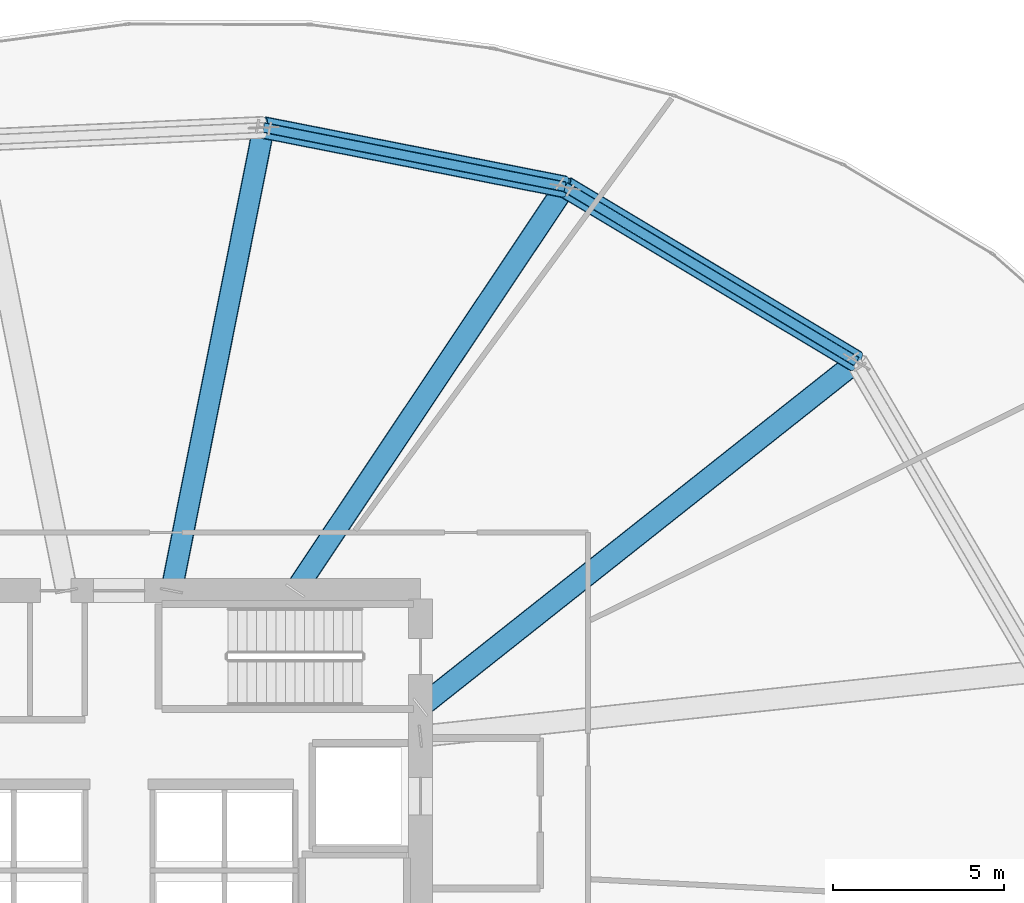
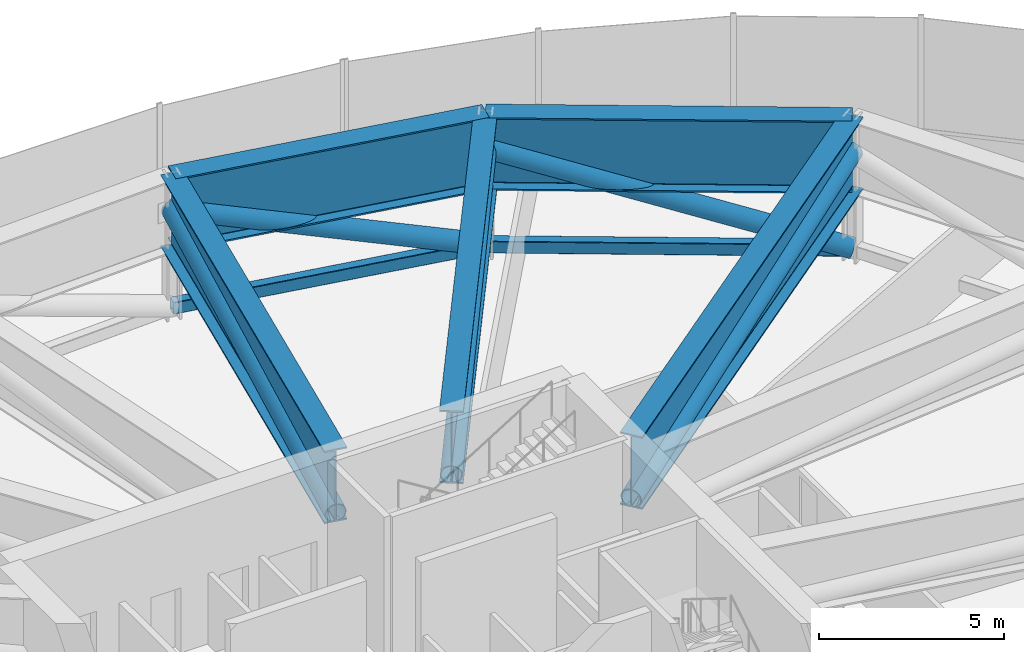
# One storey, part 21 of 33: 7 members, 5 beams.
"""IFC4 building model written with IfcOpenShell, lengths in metres."""

from ifc_helpers import new_model, si_unit, direction, frame, origin, origin_2d, place, context, subcontext, project, spatial, hollow_rectangle, hollow_circle, i_section, extrude, source, transform, mapped, material, material_profile, profile_set, type_object, element, save


model = new_model("IFC4")

# Units and contexts
model_context = context("Model", 3, precision=1e-05, world=origin(), true_north=direction((0.0, 1.0)))
body_context = subcontext(model_context, "Body", "Model", "MODEL_VIEW")
ifc_project = project(units=[si_unit("LENGTHUNIT", "METRE"), si_unit("AREAUNIT", "SQUARE_METRE"), si_unit("VOLUMEUNIT", "CUBIC_METRE"), si_unit("PLANEANGLEUNIT", "RADIAN"), si_unit("MASSUNIT", "GRAM", prefix="KILO"), si_unit("THERMODYNAMICTEMPERATUREUNIT", "KELVIN")], contexts=[model_context])

# Site, building, storey
site_placement = place(None, origin())
site = spatial("IfcSite", under=ifc_project, at=site_placement, CompositionType="ELEMENT")
building_placement = place(site_placement, origin())
building = spatial("IfcBuilding", under=site, at=building_placement, Name="Kethvar Cultural Tower", CompositionType="ELEMENT")
storey_placement = place(building_placement, frame((0.0, 0.0, 80.39990234375)))
storey = spatial("IfcBuildingStorey", under=building, at=storey_placement, Name="L19", CompositionType="ELEMENT", Elevation=80.39990234375)

# Beam
ifc_material = material(Name="Steel S460M", Category="steel")
ifc_material_profile_1 = material_profile(ifc_material, i_section(OverallWidth=0.64990234375, OverallDepth=2.39990234375, WebThickness=0.030029296875, FlangeThickness=0.048095703125, FilletRadius=0.02197265625, at=origin_2d()), Name="Steel S460M — PG2400x650x48x30")
ifc_profile_set_1 = profile_set([ifc_material_profile_1], Name="Steel S460M — PG2400x650x48x30")
beam_type = type_object("IfcBeamType", Name="BM-TR2400", PredefinedType="BEAM", material=ifc_profile_set_1)
shared_shape_1 = source(origin(), body_context, "Body", "SweptSolid", [
    extrude(i_section(OverallWidth=0.64990234375, OverallDepth=2.39990234375, WebThickness=0.030029296875, FlangeThickness=0.048095703125, FilletRadius=0.02197265625, at=origin_2d()), origin(), (0.0, 0.0, 1.0), 16.248779296875),
])
beam_1_placement = place(storey_placement, frame((55.60009765625, 32.10009765625, 3.55810546875), z_axis=(0.783831288624, 0.620973840813, 0.0), x_axis=(-0.620973840813, 0.783831288624, 0.0)))
element("IfcBeam", 1, at=beam_1_placement, inside=storey, type_object=beam_type, Name="L19 Outrigger Transfer Girder OG-02", PredefinedType="BEAM", context=body_context, shape_type="MappedRepresentation", body=[
    mapped(shared_shape_1, transform((0.0, 0.0, 0.0), scale=1.0)),
])

# Member
ifc_material_profile_2 = material_profile(ifc_material, hollow_circle(Radius=0.304931640625, WallThickness=0.02490234375, at=origin_2d()), Name="Steel S460M — CHS610x25")
ifc_profile_set_2 = profile_set([ifc_material_profile_2], Name="Steel S460M — CHS610x25")
member_type_1 = type_object("IfcMemberType", Name="MB-OUT-610", PredefinedType="BRACE", material=ifc_profile_set_2)
shared_shape_2 = source(origin(), body_context, "Body", "SweptSolid", [
    extrude(hollow_circle(Radius=0.304931640625, WallThickness=0.02490234375, at=origin_2d()), origin(), (0.0, 0.0, 1.0), 16.274169921875),
])
member_1_placement = place(storey_placement, frame((55.60009765625, 32.10009765625, 2.650146484375), z_axis=(0.7826104277, 0.620006639442, 0.055791446492), x_axis=(-0.620973840813, 0.783831288624, 0.0)))
element("IfcMember", 2, at=member_1_placement, inside=storey, type_object=member_type_1, Name="L19 Outrigger Truss Diagonal OB-02", PredefinedType="BRACE", context=body_context, shape_type="MappedRepresentation", body=[
    mapped(shared_shape_2, transform((0.0, 0.0, 0.0), scale=1.0)),
])

# Beam
shared_shape_3 = source(origin(), body_context, "Body", "SweptSolid", [
    extrude(i_section(OverallWidth=0.64990234375, OverallDepth=2.39990234375, WebThickness=0.030029296875, FlangeThickness=0.048095703125, FilletRadius=0.02197265625, at=origin_2d()), origin(), (0.0, 0.0, 1.0), 9.924072265625),
])
beam_2_placement = place(storey_placement, frame((68.33642578125, 42.190185546875, 3.55810546875), z_axis=(-0.857664361463, 0.514209921215, 0.0), x_axis=(-0.514209921215, -0.857664361463, 0.0)))
element("IfcBeam", 3, at=beam_2_placement, inside=storey, type_object=beam_type, Name="L19 Ring Belt Girder BG-02", PredefinedType="BEAM", context=body_context, shape_type="MappedRepresentation", body=[
    mapped(shared_shape_3, transform((0.0, 0.0, 0.0), scale=1.0)),
])

# Members
ifc_material_profile_3 = material_profile(ifc_material, hollow_rectangle(XDim=0.300048828125, YDim=0.39990234375, WallThickness=0.01611328125, InnerFilletRadius=0.01611328125, OuterFilletRadius=0.031982421875, at=origin_2d()), Name="Steel S460M — RHS400x300x16")
ifc_profile_set_3 = profile_set([ifc_material_profile_3], Name="Steel S460M — RHS400x300x16")
member_type_2 = type_object("IfcMemberType", Name="MB-CHD-400", PredefinedType="CHORD", material=ifc_profile_set_3)
shared_shape_4 = source(origin(), body_context, "Body", "SweptSolid", [
    extrude(hollow_rectangle(XDim=0.300048828125, YDim=0.39990234375, WallThickness=0.01611328125, InnerFilletRadius=0.01611328125, OuterFilletRadius=0.031982421875, at=origin_2d()), origin(), (0.0, 0.0, 1.0), 9.924072265625),
])
member_2_placement = place(storey_placement, frame((68.33642578125, 42.190185546875, 0.35009765625), z_axis=(-0.857664361463, 0.514209921215, 0.0), x_axis=(-0.514209921215, -0.857664361463, 0.0)))
element("IfcMember", 4, at=member_2_placement, inside=storey, type_object=member_type_2, Name="L19 Ring Belt Bottom Chord BC-02", PredefinedType="CHORD", context=body_context, shape_type="MappedRepresentation", body=[
    mapped(shared_shape_4, transform((0.0, 0.0, 0.0), scale=1.0)),
])
shared_shape_5 = source(origin(), body_context, "Body", "SweptSolid", [
    extrude(hollow_circle(Radius=0.304931640625, WallThickness=0.02490234375, at=origin_2d()), origin(), (0.0, 0.0, 1.0), 10.4296875),
])
member_3_placement = place(storey_placement, frame((68.33642578125, 42.190185546875, 0.35009765625), z_axis=(-0.816085133516, 0.489281228258, 0.307585653971), x_axis=(-0.514209921215, -0.857664361463, 0.0)))
element("IfcMember", 5, at=member_3_placement, inside=storey, type_object=member_type_1, Name="L19 Ring Belt Diagonal BD-02", PredefinedType="BRACE", context=body_context, shape_type="MappedRepresentation", body=[
    mapped(shared_shape_5, transform((0.0, 0.0, 0.0), scale=1.0)),
])

# Beam
shared_shape_6 = source(origin(), body_context, "Body", "SweptSolid", [
    extrude(i_section(OverallWidth=0.64990234375, OverallDepth=2.39990234375, WebThickness=0.030029296875, FlangeThickness=0.048095703125, FilletRadius=0.02197265625, at=origin_2d()), origin(), (0.0, 0.0, 1.0), 14.18359375),
])
beam_3_placement = place(storey_placement, frame((51.945068359375, 35.5, 3.55810546875), z_axis=(0.55556584065, 0.831472547174, 0.0), x_axis=(-0.831472547174, 0.55556584065, 0.0)))
element("IfcBeam", 6, at=beam_3_placement, inside=storey, type_object=beam_type, Name="L19 Outrigger Transfer Girder OG-03", PredefinedType="BEAM", context=body_context, shape_type="MappedRepresentation", body=[
    mapped(shared_shape_6, transform((0.0, 0.0, 0.0), scale=1.0)),
])

# Member
shared_shape_7 = source(origin(), body_context, "Body", "SweptSolid", [
    extrude(hollow_circle(Radius=0.304931640625, WallThickness=0.02490234375, at=origin_2d()), origin(), (0.0, 0.0, 1.0), 14.212646484375),
])
member_4_placement = place(storey_placement, frame((51.945068359375, 35.5, 2.650146484375), z_axis=(0.554430993756, 0.82977410935, 0.063884275182), x_axis=(-0.831472547174, 0.55556584065, 0.0)))
element("IfcMember", 7, at=member_4_placement, inside=storey, type_object=member_type_1, Name="L19 Outrigger Truss Diagonal OB-03", PredefinedType="BRACE", context=body_context, shape_type="MappedRepresentation", body=[
    mapped(shared_shape_7, transform((0.0, 0.0, 0.0), scale=1.0)),
])

# Beam
shared_shape_8 = source(origin(), body_context, "Body", "SweptSolid", [
    extrude(i_section(OverallWidth=0.64990234375, OverallDepth=2.39990234375, WebThickness=0.030029296875, FlangeThickness=0.048095703125, FilletRadius=0.02197265625, at=origin_2d()), origin(), (0.0, 0.0, 1.0), 8.9716796875),
])
beam_4_placement = place(storey_placement, frame((59.824951171875, 47.293212890625, 3.55810546875), z_axis=(-0.981173751046, 0.193127083181, 0.0), x_axis=(-0.193127083181, -0.981173751046, 0.0)))
element("IfcBeam", 8, at=beam_4_placement, inside=storey, type_object=beam_type, Name="L19 Ring Belt Girder BG-03", PredefinedType="BEAM", context=body_context, shape_type="MappedRepresentation", body=[
    mapped(shared_shape_8, transform((0.0, 0.0, 0.0), scale=1.0)),
])

# Members
shared_shape_9 = source(origin(), body_context, "Body", "SweptSolid", [
    extrude(hollow_rectangle(XDim=0.300048828125, YDim=0.39990234375, WallThickness=0.01611328125, InnerFilletRadius=0.01611328125, OuterFilletRadius=0.031982421875, at=origin_2d()), origin(), (0.0, 0.0, 1.0), 8.9716796875),
])
member_5_placement = place(storey_placement, frame((59.824951171875, 47.293212890625, 0.35009765625), z_axis=(-0.981173751046, 0.193127083181, 0.0), x_axis=(-0.193127083181, -0.981173751046, 0.0)))
element("IfcMember", 9, at=member_5_placement, inside=storey, type_object=member_type_2, Name="L19 Ring Belt Bottom Chord BC-03", PredefinedType="CHORD", context=body_context, shape_type="MappedRepresentation", body=[
    mapped(shared_shape_9, transform((0.0, 0.0, 0.0), scale=1.0)),
])
shared_shape_10 = source(origin(), body_context, "Body", "SweptSolid", [
    extrude(hollow_circle(Radius=0.304931640625, WallThickness=0.02490234375, at=origin_2d()), origin(), (0.0, 0.0, 1.0), 9.52783203125),
])
member_6_placement = place(storey_placement, frame((59.824951171875, 47.293212890625, 0.35009765625), z_axis=(-0.923886737969, 0.181851125454, 0.336694911718), x_axis=(-0.193127083181, -0.981173751046, 0.0)))
element("IfcMember", 10, at=member_6_placement, inside=storey, type_object=member_type_1, Name="L19 Ring Belt Diagonal BD-03", PredefinedType="BRACE", context=body_context, shape_type="MappedRepresentation", body=[
    mapped(shared_shape_10, transform((0.0, 0.0, 0.0), scale=1.0)),
])

# Beam
shared_shape_11 = source(origin(), body_context, "Body", "SweptSolid", [
    extrude(i_section(OverallWidth=0.64990234375, OverallDepth=2.39990234375, WebThickness=0.030029296875, FlangeThickness=0.048095703125, FilletRadius=0.02197265625, at=origin_2d()), origin(), (0.0, 0.0, 1.0), 13.791015625),
])
beam_5_placement = place(storey_placement, frame((48.33154296875, 35.5, 3.55810546875), z_axis=(0.195104916429, 0.980782377281, 0.0), x_axis=(-0.980782377281, 0.195104916429, 0.0)))
element("IfcBeam", 11, at=beam_5_placement, inside=storey, type_object=beam_type, Name="L19 Outrigger Transfer Girder OG-04", PredefinedType="BEAM", context=body_context, shape_type="MappedRepresentation", body=[
    mapped(shared_shape_11, transform((0.0, 0.0, 0.0), scale=1.0)),
])

# Member
shared_shape_12 = source(origin(), body_context, "Body", "SweptSolid", [
    extrude(hollow_circle(Radius=0.304931640625, WallThickness=0.02490234375, at=origin_2d()), origin(), (0.0, 0.0, 1.0), 13.82080078125),
])
member_7_placement = place(storey_placement, frame((48.33154296875, 35.5, 2.650146484375), z_axis=(0.194683437439, 0.978663624081, 0.065695282083), x_axis=(-0.980782377281, 0.195104916429, 0.0)))
element("IfcMember", 12, at=member_7_placement, inside=storey, type_object=member_type_1, Name="L19 Outrigger Truss Diagonal OB-04", PredefinedType="BRACE", context=body_context, shape_type="MappedRepresentation", body=[
    mapped(shared_shape_12, transform((0.0, 0.0, 0.0), scale=1.0)),
])

save(model, "model.ifc")
